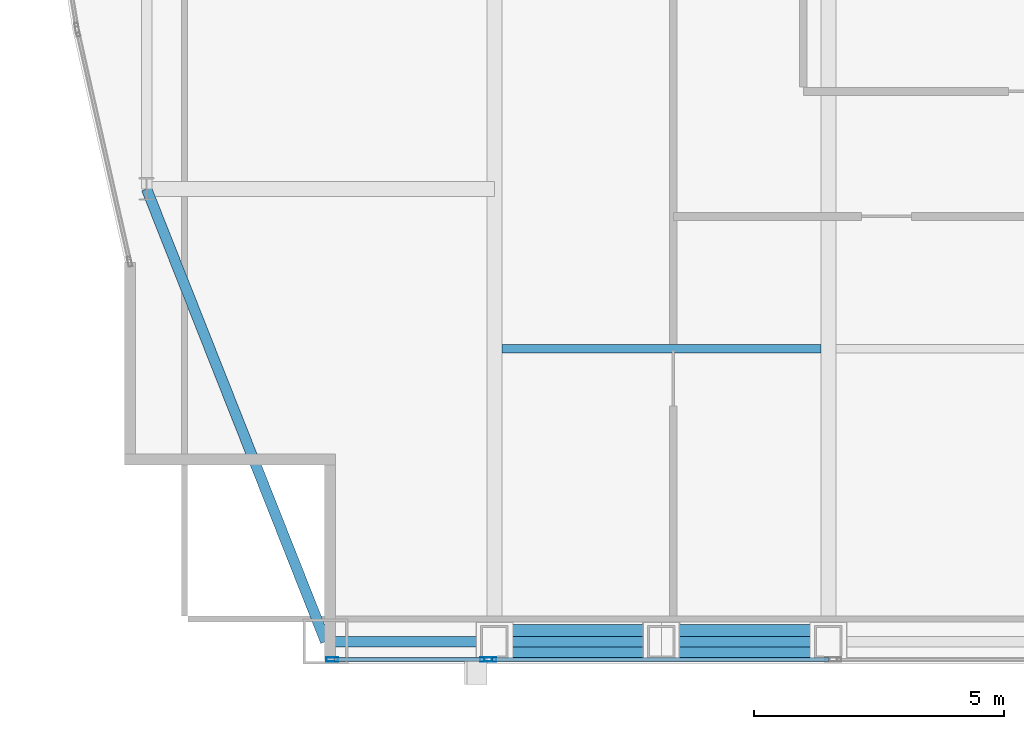
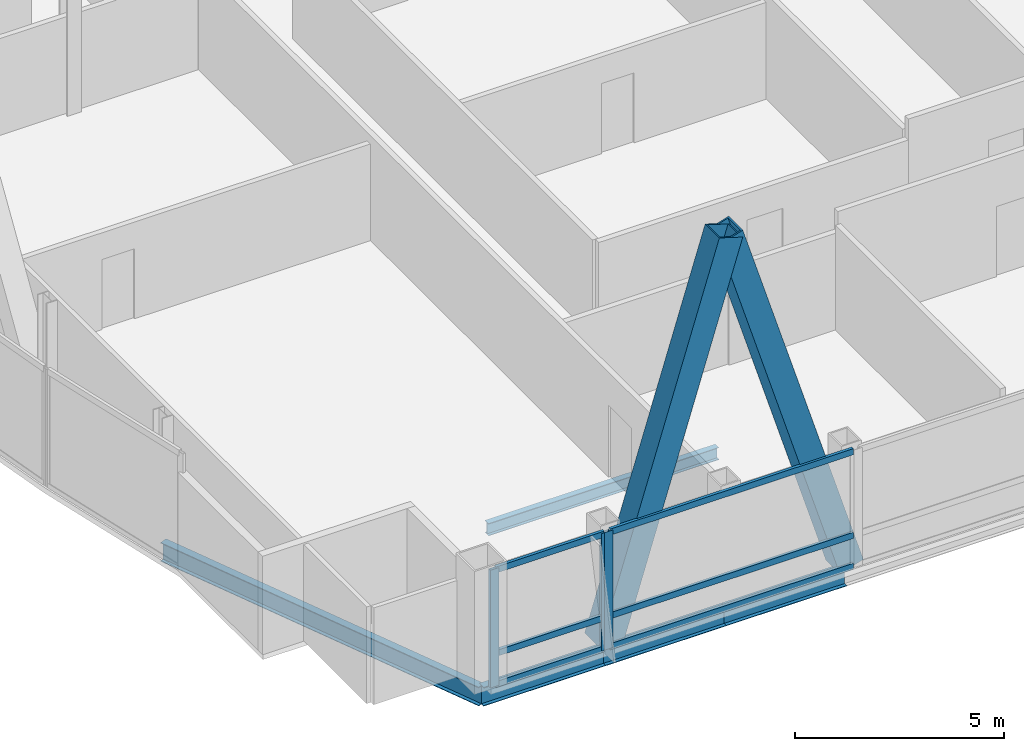
# One storey, part 4 of 31: 11 members, 5 beams, 2 elements without a shape of their own.
"""IFC4 building model written with IfcOpenShell, lengths in metres."""

from ifc_helpers import new_model, si_unit, direction, frame, origin, origin_2d, place, context, subcontext, project, spatial, hollow_rectangle, i_section, extrude, material, material_profile, profile_set, type_object, element, aggregate, save


model = new_model("IFC4")

# Units and contexts
model_context = context("Model", 3, precision=1e-05, world=origin(), true_north=direction((0.0, 1.0)))
body_context = subcontext(model_context, "Body", "Model", "MODEL_VIEW")
ifc_project = project(units=[si_unit("LENGTHUNIT", "METRE"), si_unit("AREAUNIT", "SQUARE_METRE"), si_unit("VOLUMEUNIT", "CUBIC_METRE"), si_unit("PLANEANGLEUNIT", "RADIAN"), si_unit("MASSUNIT", "GRAM", prefix="KILO")], contexts=[model_context])

# Site, building, storey
site_placement = place(None, origin())
site = spatial("IfcSite", under=ifc_project, at=site_placement, CompositionType="ELEMENT")
building_placement = place(site_placement, origin())
building = spatial("IfcBuilding", under=site, at=building_placement, Name="Khoronbel Lancet Exchange", CompositionType="ELEMENT")
storey_placement = place(building_placement, frame((0.0, 0.0, 325.39990234375)))
storey = spatial("IfcBuildingStorey", under=building, at=storey_placement, Name="L84", CompositionType="ELEMENT", Elevation=325.39990234375)

# Beams
ifc_material_1 = material(Name="Steel S355", Category="steel")
ifc_material_profile_1 = material_profile(ifc_material_1, i_section(OverallWidth=0.169921875, OverallDepth=0.360107421875, WebThickness=0.008056640625, FlangeThickness=0.0126953125, at=origin_2d()), Name="IPE 360")
ifc_profile_set_1 = profile_set([ifc_material_profile_1], Name="Steel S355")
beam_type_1 = type_object("IfcBeamType", Name="BM-BJ6", PredefinedType="JOIST", material=ifc_profile_set_1)
beam_1_placement = place(storey_placement, frame((18.375, 16.0, -0.33984375), z_axis=(1.0, 0.0, 0.0), x_axis=(0.0, 1.0, 0.0)))
element("IfcBeam", 1, at=beam_1_placement, inside=storey, type_object=beam_type_1, Name="Level L84 secondary composite joist J01", PredefinedType="JOIST", context=body_context, shape_type="SweptSolid", body=[
    extrude(i_section(OverallWidth=0.169921875, OverallDepth=0.360107421875, WebThickness=0.008056640625, FlangeThickness=0.0126953125, at=origin_2d()), origin(), (0.0, 0.0, 1.0), 6.375),
])
ifc_material_profile_2 = material_profile(ifc_material_1, i_section(OverallWidth=0.2099609375, OverallDepth=0.550048828125, WebThickness=0.010986328125, FlangeThickness=0.01708984375, at=origin_2d()), Name="IPE 550")
ifc_profile_set_2 = profile_set([ifc_material_profile_2], Name="Steel S355")
beam_type_2 = type_object("IfcBeamType", Name="BM-BSP3", PredefinedType="SPANDREL", material=ifc_profile_set_2)
beam_2_placement = place(storey_placement, frame((14.85009765625, 10.14990234375, -0.434814453125), z_axis=(1.0, 0.0, 0.0), x_axis=(0.0, 1.0, 0.0)))
element("IfcBeam", 2, at=beam_2_placement, inside=storey, type_object=beam_type_2, Name="Level L84 perimeter spandrel beam SP01", PredefinedType="SPANDREL", context=body_context, shape_type="SweptSolid", body=[
    extrude(i_section(OverallWidth=0.2099609375, OverallDepth=0.550048828125, WebThickness=0.010986328125, FlangeThickness=0.01708984375, at=origin_2d()), origin(), (0.0, 0.0, 1.0), 3.375),
])
for number, where, z_axis, x_axis, name in (
    (3, (18.22509765625, 10.14990234375, -0.434814453125), (1.0, 0.0, 0.0), (0.0, 1.0, 0.0), "Level L84 perimeter spandrel beam SP02"),
    (4, (21.5625, 10.14990234375, -0.434814453125), (1.0, 0.0, 0.0), (0.0, 1.0, 0.0), "Level L84 perimeter spandrel beam SP03"),
):
    element("IfcBeam", number, at=place(storey_placement, frame(where, z_axis=z_axis, x_axis=x_axis)), inside=storey, type_object=beam_type_2, Name=name, PredefinedType="SPANDREL", context=body_context, shape_type="SweptSolid", body=[
        extrude(i_section(OverallWidth=0.2099609375, OverallDepth=0.550048828125, WebThickness=0.010986328125, FlangeThickness=0.01708984375, at=origin_2d()), origin(), (0.0, 0.0, 1.0), 3.33740234375),
    ])
beam_3_placement = place(storey_placement, frame((11.27001953125, 19.199951171875, -0.434814453125), z_axis=(0.367850095026, -0.92988510451, 0.0), x_axis=(0.92988510451, 0.367850095026, 0.0)))
element("IfcBeam", 5, at=beam_3_placement, inside=storey, type_object=beam_type_2, Name="Level L84 perimeter spandrel beam SP19", PredefinedType="SPANDREL", context=body_context, shape_type="SweptSolid", body=[
    extrude(i_section(OverallWidth=0.2099609375, OverallDepth=0.550048828125, WebThickness=0.010986328125, FlangeThickness=0.01708984375, at=origin_2d()), origin(), (0.0, 0.0, 1.0), 9.732421875),
])

# Curtain wall, members
ifc_material_2 = material(Name="Low-E Solar Control Insulating Glass", Category="glass")
curtain_wall_type = type_object("IfcCurtainWallType", Name="CW-3", PredefinedType="NOTDEFINED", material=ifc_material_2)
curtain_wall_1_placement = place(storey_placement, origin())
curtain_wall_1 = element("IfcCurtainWall", 6, at=curtain_wall_1_placement, inside=storey, type_object=curtain_wall_type, Name="Unitised curtain wall CW-L84-SWV", PredefinedType="NOTDEFINED")
ifc_material_3 = material(Name="Bronze-Anodised Aluminium 6063-T6", Category="aluminium")
ifc_material_profile_3 = material_profile(ifc_material_3, hollow_rectangle(XDim=0.0849609375, YDim=0.239990234375, WallThickness=0.006103515625, at=origin_2d()), Name="ALU MULLION 85x240")
ifc_profile_set_3 = profile_set([ifc_material_profile_3], Name="Bronze-Anodised Aluminium 6063-T6")
member_type_1 = type_object("IfcMemberType", Name="MEM-CWM1", PredefinedType="MULLION", material=ifc_profile_set_3)
member_1_placement = place(storey_placement, frame((14.982421875, 9.7900390625, 0.0), z_axis=(0.0, 0.0, 1.0), x_axis=(0.0, 1.0, 0.0)))
member_1 = element("IfcMember", 7, at=member_1_placement, type_object=member_type_1, Name="CW3 mullion 1", PredefinedType="MULLION", context=body_context, shape_type="SweptSolid", body=[
    extrude(hollow_rectangle(XDim=0.0849609375, YDim=0.239990234375, WallThickness=0.006103515625, at=origin_2d()), origin(), (0.0, 0.0, 1.0), 3.440185546875),
])
member_2_placement = place(storey_placement, frame((18.0576171875, 9.7900390625, 0.0), z_axis=(0.0, 0.0, 1.0), x_axis=(0.0, 1.0, 0.0)))
member_2 = element("IfcMember", 8, at=member_2_placement, type_object=member_type_1, Name="CW3 mullion 2", PredefinedType="MULLION", context=body_context, shape_type="SweptSolid", body=[
    extrude(hollow_rectangle(XDim=0.0849609375, YDim=0.239990234375, WallThickness=0.006103515625, at=origin_2d()), origin(), (0.0, 0.0, 1.0), 3.440185546875),
])

# Curtain wall, member
curtain_wall_2_placement = place(storey_placement, origin())
curtain_wall_2 = element("IfcCurtainWall", 9, at=curtain_wall_2_placement, inside=storey, type_object=curtain_wall_type, Name="Unitised curtain wall CW-L84-SWB", PredefinedType="NOTDEFINED")
member_3_placement = place(storey_placement, frame((18.142578125, 9.7900390625, 0.0), z_axis=(0.0, 0.0, 1.0), x_axis=(0.0, 1.0, 0.0)))
member_3 = element("IfcMember", 10, at=member_3_placement, type_object=member_type_1, Name="CW3 mullion 1", PredefinedType="MULLION", context=body_context, shape_type="SweptSolid", body=[
    extrude(hollow_rectangle(XDim=0.0849609375, YDim=0.239990234375, WallThickness=0.006103515625, at=origin_2d()), origin(), (0.0, 0.0, 1.0), 3.440185546875),
])

# Member
ifc_material_profile_4 = material_profile(ifc_material_3, hollow_rectangle(XDim=0.0849609375, YDim=0.179931640625, WallThickness=0.0048828125, at=origin_2d()), Name="ALU TRANSOM 85x180")
ifc_profile_set_4 = profile_set([ifc_material_profile_4], Name="Bronze-Anodised Aluminium 6063-T6")
member_type_2 = type_object("IfcMemberType", Name="MEM-CWT1", PredefinedType="USERDEFINED", material=ifc_profile_set_4)
member_4_placement = place(storey_placement, frame((15.02490234375, 9.7900390625, 0.04248046875), z_axis=(1.0, 0.0, 0.0), x_axis=(0.0, 1.0, 0.0)))
member_4 = element("IfcMember", 11, at=member_4_placement, type_object=member_type_2, Name="CW3 transom 1.1", ObjectType="TRANSOM", PredefinedType="USERDEFINED", context=body_context, shape_type="SweptSolid", body=[
    extrude(hollow_rectangle(XDim=0.0849609375, YDim=0.179931640625, WallThickness=0.0048828125, at=origin_2d()), origin(), (0.0, 0.0, 1.0), 2.989990234375),
])

member_5_placement = place(storey_placement, frame((15.02490234375, 9.7900390625, 0.9501953125), z_axis=(1.0, 0.0, 0.0), x_axis=(0.0, 1.0, 0.0)))
member_5 = element("IfcMember", 12, at=member_5_placement, type_object=member_type_2, Name="CW3 transom 1.2", ObjectType="TRANSOM", PredefinedType="USERDEFINED", context=body_context, shape_type="SweptSolid", body=[
    extrude(hollow_rectangle(XDim=0.0849609375, YDim=0.179931640625, WallThickness=0.0048828125, at=origin_2d()), origin(), (0.0, 0.0, 1.0), 2.989990234375),
])

member_6_placement = place(storey_placement, frame((15.02490234375, 9.7900390625, 3.397705078125), z_axis=(1.0, 0.0, 0.0), x_axis=(0.0, 1.0, 0.0)))
member_6 = element("IfcMember", 13, at=member_6_placement, type_object=member_type_2, Name="CW3 transom 1.3", ObjectType="TRANSOM", PredefinedType="USERDEFINED", context=body_context, shape_type="SweptSolid", body=[
    extrude(hollow_rectangle(XDim=0.0849609375, YDim=0.179931640625, WallThickness=0.0048828125, at=origin_2d()), origin(), (0.0, 0.0, 1.0), 2.989990234375),
])

aggregate(curtain_wall_1, [member_1, member_2, member_4, member_5, member_6])

member_7_placement = place(storey_placement, frame((18.18505859375, 9.7900390625, 0.04248046875), z_axis=(1.0, 0.0, 0.0), x_axis=(0.0, 1.0, 0.0)))
member_7 = element("IfcMember", 14, at=member_7_placement, type_object=member_type_2, Name="CW3 transom 1.1", ObjectType="TRANSOM", PredefinedType="USERDEFINED", context=body_context, shape_type="SweptSolid", body=[
    extrude(hollow_rectangle(XDim=0.0849609375, YDim=0.179931640625, WallThickness=0.0048828125, at=origin_2d()), origin(), (0.0, 0.0, 1.0), 6.72998046875),
])

member_8_placement = place(storey_placement, frame((18.18505859375, 9.7900390625, 0.9501953125), z_axis=(1.0, 0.0, 0.0), x_axis=(0.0, 1.0, 0.0)))
member_8 = element("IfcMember", 15, at=member_8_placement, type_object=member_type_2, Name="CW3 transom 1.2", ObjectType="TRANSOM", PredefinedType="USERDEFINED", context=body_context, shape_type="SweptSolid", body=[
    extrude(hollow_rectangle(XDim=0.0849609375, YDim=0.179931640625, WallThickness=0.0048828125, at=origin_2d()), origin(), (0.0, 0.0, 1.0), 6.72998046875),
])

member_9_placement = place(storey_placement, frame((18.18505859375, 9.7900390625, 3.397705078125), z_axis=(1.0, 0.0, 0.0), x_axis=(0.0, 1.0, 0.0)))
member_9 = element("IfcMember", 16, at=member_9_placement, type_object=member_type_2, Name="CW3 transom 1.3", ObjectType="TRANSOM", PredefinedType="USERDEFINED", context=body_context, shape_type="SweptSolid", body=[
    extrude(hollow_rectangle(XDim=0.0849609375, YDim=0.179931640625, WallThickness=0.0048828125, at=origin_2d()), origin(), (0.0, 0.0, 1.0), 6.72998046875),
])

aggregate(curtain_wall_2, [member_3, member_7, member_8, member_9])

# Members
ifc_material_4 = material(Name="Steel S460", Category="steel")
ifc_material_profile_5 = material_profile(ifc_material_4, hollow_rectangle(XDim=0.679931640625, YDim=0.679931640625, WallThickness=0.044921875, at=origin_2d()), Name="BOX 680x680x45")
ifc_profile_set_5 = profile_set([ifc_material_profile_5], Name="Steel S460")
member_type_3 = type_object("IfcMemberType", Name="MEM-MB3", PredefinedType="BRACE", material=ifc_profile_set_5)
for number, where, z_axis, x_axis, name in (
    (17, (18.22509765625, 10.14990234375, 0.0), (0.295242108906, 0.0, 0.955422470496), (0.0, 1.0, 0.0), "Perimeter lancet brace tier 29 S-W-L"),
    (18, (24.89990234375, 10.14990234375, 0.0), (-0.295242108906, 0.0, 0.955422470496), (0.0, -1.0, 0.0), "Perimeter lancet brace tier 29 S-W-R"),
):
    element("IfcMember", number, at=place(storey_placement, frame(where, z_axis=z_axis, x_axis=x_axis)), inside=storey, type_object=member_type_3, Name=name, PredefinedType="BRACE", context=body_context, shape_type="SweptSolid", body=[
        extrude(hollow_rectangle(XDim=0.679931640625, YDim=0.679931640625, WallThickness=0.044921875, at=origin_2d()), origin(), (0.0, 0.0, 1.0), 11.303955078125),
    ])

save(model, "model.ifc")
